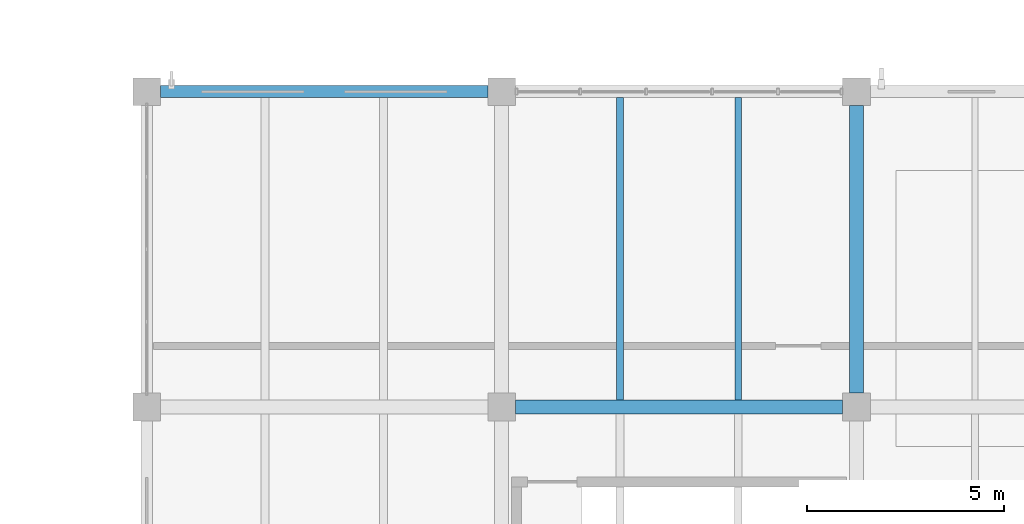
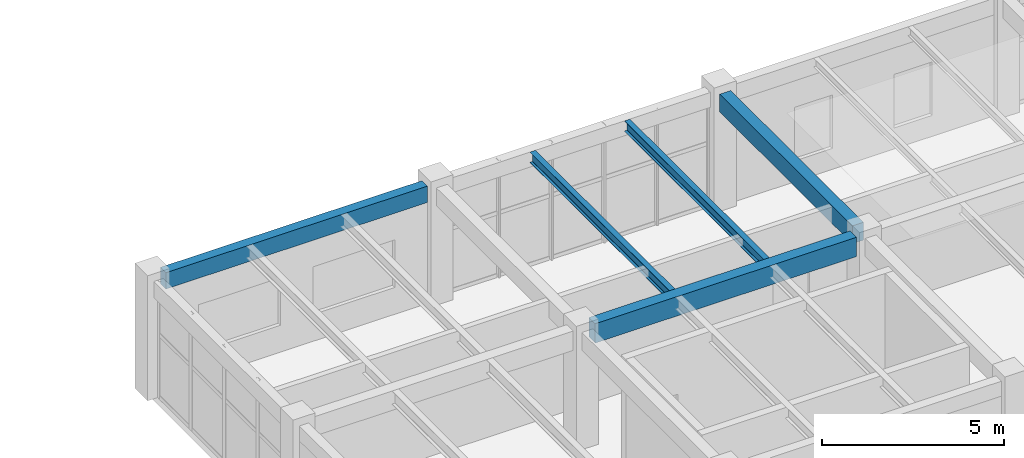
# One storey, part 34 of 128: 5 beams.
"""IFC4 building model written with IfcOpenShell, lengths in metres."""

from ifc_helpers import new_model, si_unit, derived_unit, direction, frame, origin, origin_2d, place, context, subcontext, project, spatial, rectangle, i_section, extrude, material, material_profile, profile_set, type_object, element, save


model = new_model("IFC4")

# Units and contexts
model_context = context("Model", 3, precision=1e-05, world=origin(), true_north=direction((0.0, 1.0)))
body_context = subcontext(model_context, "Body", "Model", "MODEL_VIEW")
ifc_project = project(units=[si_unit("LENGTHUNIT", "METRE"), si_unit("AREAUNIT", "SQUARE_METRE"), si_unit("VOLUMEUNIT", "CUBIC_METRE"), si_unit("PLANEANGLEUNIT", "RADIAN"), si_unit("MASSUNIT", "GRAM", prefix="KILO"), derived_unit("THERMALTRANSMITTANCEUNIT", [(si_unit("MASSUNIT", "GRAM", prefix="KILO"), 1), (si_unit("TIMEUNIT", "SECOND"), -3), (si_unit("THERMODYNAMICTEMPERATUREUNIT", "KELVIN"), -1)])], contexts=[model_context])

# Site, building, storey
site_placement = place(None, origin())
site = spatial("IfcSite", under=ifc_project, at=site_placement, CompositionType="ELEMENT")
building_placement = place(site_placement, origin())
building = spatial("IfcBuilding", under=site, at=building_placement, Name="Zhenchuan Archway Interchange", CompositionType="ELEMENT")
storey_placement = place(building_placement, frame((0.0, 0.0, 14.39990234375)))
storey = spatial("IfcBuildingStorey", under=building, at=storey_placement, Name="L03", CompositionType="ELEMENT", Elevation=14.39990234375)

# Beams
ifc_material_1 = material(Name="Concrete C40", Category="concrete")
ifc_material_profile_1 = material_profile(ifc_material_1, rectangle(XDim=0.35009765625, YDim=0.60009765625, at=origin_2d()), Name="RC 350x600")
ifc_profile_set_1 = profile_set([ifc_material_profile_1], Name="Concrete C40")
beam_type_1 = type_object("IfcBeamType", Name="BM_RC_350x600", PredefinedType="BEAM", material=ifc_profile_set_1)
beam_1_placement = place(storey_placement, frame((126.0, 16.35009765625, 3.64013671875), z_axis=(0.0, 1.0, 0.0), x_axis=(-1.0, 0.0, 0.0)))
element("IfcBeam", 1, at=beam_1_placement, inside=storey, type_object=beam_type_1, Name="Beam 15:C-D (L03)", PredefinedType="BEAM", context=body_context, shape_type="SweptSolid", body=[
    extrude(rectangle(XDim=0.35009765625, YDim=0.60009765625, at=origin_2d()), origin(), (0.0, 0.0, 1.0), 7.2998046875),
])
ifc_material_profile_2 = material_profile(ifc_material_1, rectangle(XDim=0.35009765625, YDim=0.64990234375, at=origin_2d()), Name="RC 350x650")
ifc_profile_set_2 = profile_set([ifc_material_profile_2], Name="Concrete C40")
beam_type_2 = type_object("IfcBeamType", Name="BM_RC_350x650", PredefinedType="BEAM", material=ifc_profile_set_2)
beam_2_placement = place(storey_placement, frame((117.35009765625, 16.0, 3.614990234375), z_axis=(1.0, 0.0, 0.0), x_axis=(0.0, 1.0, 0.0)))
element("IfcBeam", 2, at=beam_2_placement, inside=storey, type_object=beam_type_2, Name="Beam C:14-15 (L03)", PredefinedType="BEAM", context=body_context, shape_type="SweptSolid", body=[
    extrude(rectangle(XDim=0.35009765625, YDim=0.64990234375, at=origin_2d()), origin(), (0.0, 0.0, 1.0), 8.2998046875),
])
ifc_material_2 = material(Name="Steel Q355", Category="steel")
ifc_material_profile_3 = material_profile(ifc_material_2, i_section(OverallWidth=0.175048828125, OverallDepth=0.35009765625, WebThickness=0.007080078125, FlangeThickness=0.010986328125, FilletRadius=0.013916015625, at=origin_2d()), Name="HN 350x175")
ifc_profile_set_3 = profile_set([ifc_material_profile_3], Name="Steel Q355")
beam_type_3 = type_object("IfcBeamType", Name="JST_STL_HN350", PredefinedType="JOIST", material=ifc_profile_set_3)
for number, where, z_axis, x_axis, name in (
    (3, (120.0, 16.175048828125, 3.76513671875), (0.0, 1.0, 0.0), (-1.0, 0.0, 0.0), "Secondary joist 14-15/C-D #1 (L03)"),
    (4, (123.0, 16.175048828125, 3.76513671875), (0.0, 1.0, 0.0), (-1.0, 0.0, 0.0), "Secondary joist 14-15/C-D #2 (L03)"),
):
    element("IfcBeam", number, at=place(storey_placement, frame(where, z_axis=z_axis, x_axis=x_axis)), inside=storey, type_object=beam_type_3, Name=name, PredefinedType="JOIST", context=body_context, shape_type="SweptSolid", body=[
        extrude(i_section(OverallWidth=0.175048828125, OverallDepth=0.35009765625, WebThickness=0.007080078125, FlangeThickness=0.010986328125, FilletRadius=0.013916015625, at=origin_2d()), origin(), (0.0, 0.0, 1.0), 7.675048828125),
    ])
ifc_material_profile_4 = material_profile(ifc_material_1, rectangle(XDim=0.300048828125, YDim=0.550048828125, at=origin_2d()), Name="RC 300x550")
ifc_profile_set_4 = profile_set([ifc_material_profile_4], Name="Concrete C40")
beam_type_4 = type_object("IfcBeamType", Name="SP_RC_300x550", PredefinedType="SPANDREL", material=ifc_profile_set_4)
beam_3_placement = place(storey_placement, frame((108.35009765625, 24.0, 3.6650390625), z_axis=(1.0, 0.0, 0.0), x_axis=(0.0, 1.0, 0.0)))
element("IfcBeam", 5, at=beam_3_placement, inside=storey, type_object=beam_type_4, Name="Beam D:13-14 (L03)", PredefinedType="SPANDREL", context=body_context, shape_type="SweptSolid", body=[
    extrude(rectangle(XDim=0.300048828125, YDim=0.550048828125, at=origin_2d()), origin(), (0.0, 0.0, 1.0), 8.2998046875),
])

save(model, "model.ifc")
